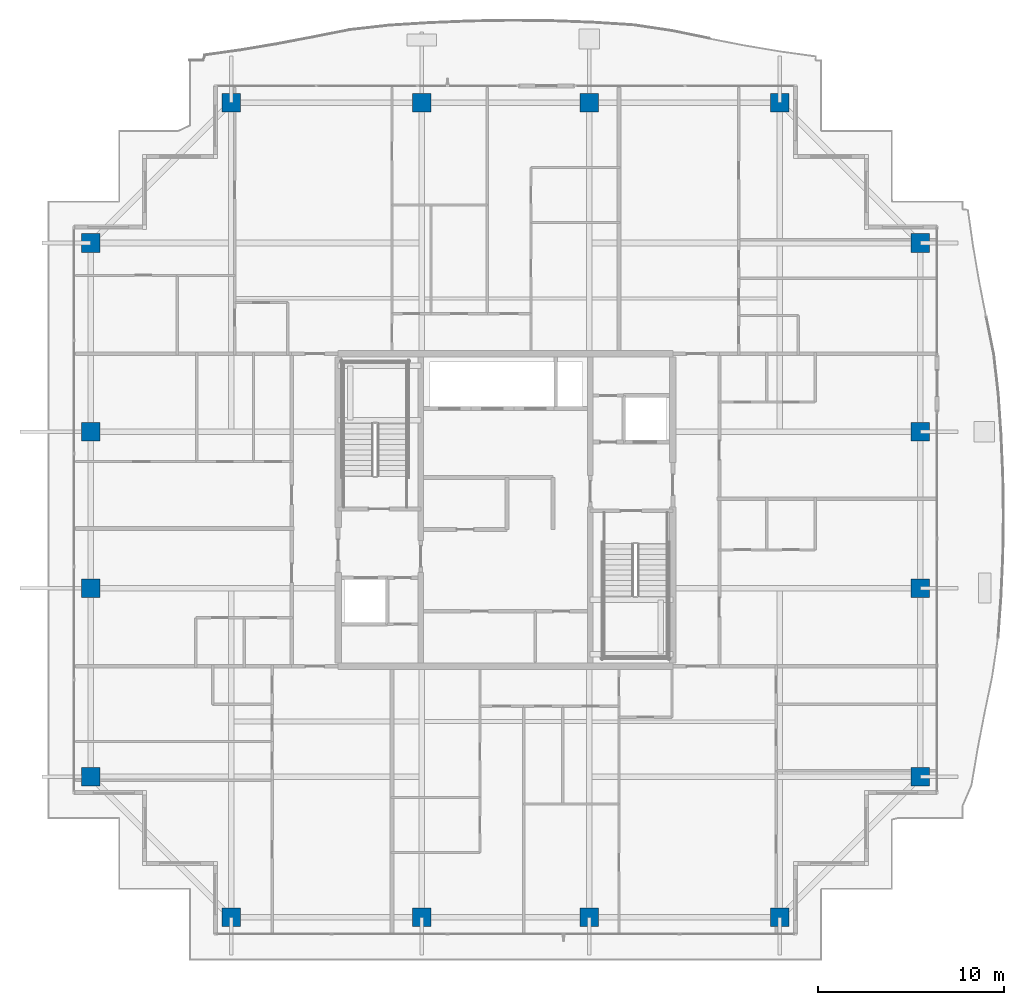
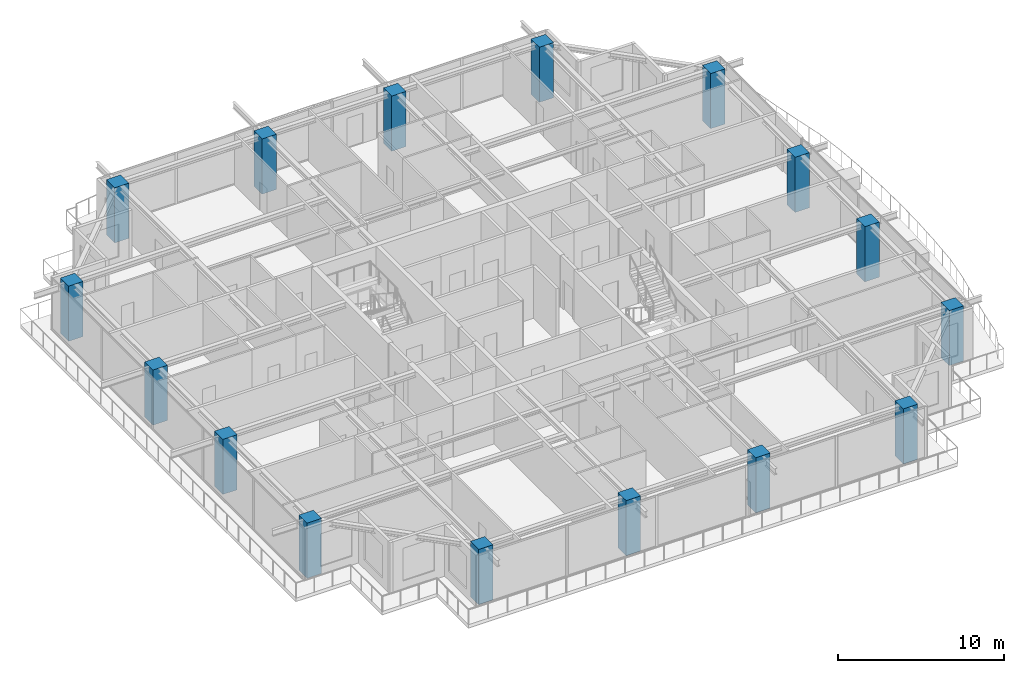
# One storey, part 1 of 40: 16 columns.
"""IFC4 building model written with IfcOpenShell, lengths in metres."""

from ifc_helpers import new_model, si_unit, direction, frame, origin, origin_2d, place, context, subcontext, project, spatial, rectangle, extrude, source, transform, mapped, material, material_profile, profile_set, type_object, element, save


model = new_model("IFC4")

# Units and contexts
model_context = context("Model", 3, precision=1e-05, world=origin(), true_north=direction((0.0, 1.0)))
body_context = subcontext(model_context, "Body", "Model", "MODEL_VIEW")
ifc_project = project(units=[si_unit("LENGTHUNIT", "METRE"), si_unit("AREAUNIT", "SQUARE_METRE"), si_unit("VOLUMEUNIT", "CUBIC_METRE"), si_unit("PLANEANGLEUNIT", "RADIAN"), si_unit("MASSUNIT", "GRAM", prefix="KILO")], contexts=[model_context])

# Site, building, storey
site_placement = place(None, origin())
site = spatial("IfcSite", under=ifc_project, at=site_placement, CompositionType="ELEMENT")
building_placement = place(site_placement, origin())
building = spatial("IfcBuilding", under=site, at=building_placement, Name="Serunith Strait Residences", CompositionType="ELEMENT")
storey_placement = place(building_placement, frame((0.0, 0.0, 313.699951171875)))
storey = spatial("IfcBuildingStorey", under=building, at=storey_placement, Name="L78", CompositionType="ELEMENT", Elevation=313.699951171875)

# Columns
ifc_material = material(Name="Concrete C70/85", Category="concrete")
ifc_material_profile = material_profile(ifc_material, rectangle(XDim=1.0, YDim=1.0, at=origin_2d()), Name="RC 1000x1000")
ifc_profile_set = profile_set([ifc_material_profile], Name="Concrete C70/85")
column_type = type_object("IfcColumnType", Name="COL-RC-1000", PredefinedType="COLUMN", material=ifc_profile_set)
shared_shape = source(origin(), body_context, "Body", "SweptSolid", [
    extrude(rectangle(XDim=1.0, YDim=1.0, at=origin_2d()), origin(), (0.0, 0.0, 1.0), 4.050048828125),
])
for number, where, z_axis, x_axis, name in (
    (1, (17.64990234375, 3.300048828125, -0.260009765625), (0.0, 0.0, 1.0), (1.0, 0.0, 0.0), "L78 Tower Mega-Column TC-S1"),
    (2, (27.89990234375, 3.300048828125, -0.260009765625), (0.0, 0.0, 1.0), (1.0, 0.0, 0.0), "L78 Tower Mega-Column TC-S2"),
    (3, (36.89990234375, 3.300048828125, -0.260009765625), (0.0, 0.0, 1.0), (1.0, 0.0, 0.0), "L78 Tower Mega-Column TC-S3"),
    (4, (47.14990234375, 3.300048828125, -0.260009765625), (0.0, 0.0, 1.0), (1.0, 0.0, 0.0), "L78 Tower Mega-Column TC-S4"),
    (5, (17.64990234375, 47.10009765625, -0.260009765625), (0.0, 0.0, 1.0), (1.0, 0.0, 0.0), "L78 Tower Mega-Column TC-N1"),
    (6, (27.89990234375, 47.10009765625, -0.260009765625), (0.0, 0.0, 1.0), (1.0, 0.0, 0.0), "L78 Tower Mega-Column TC-N2"),
    (7, (36.89990234375, 47.10009765625, -0.260009765625), (0.0, 0.0, 1.0), (1.0, 0.0, 0.0), "L78 Tower Mega-Column TC-N3"),
    (8, (47.14990234375, 47.10009765625, -0.260009765625), (0.0, 0.0, 1.0), (1.0, 0.0, 0.0), "L78 Tower Mega-Column TC-N4"),
    (9, (54.699951171875, 10.85009765625, -0.260009765625), (0.0, 0.0, 1.0), (1.0, 0.0, 0.0), "L78 Tower Mega-Column TC-E1"),
    (10, (54.699951171875, 21.0, -0.260009765625), (0.0, 0.0, 1.0), (1.0, 0.0, 0.0), "L78 Tower Mega-Column TC-E2"),
    (11, (54.699951171875, 29.39990234375, -0.260009765625), (0.0, 0.0, 1.0), (1.0, 0.0, 0.0), "L78 Tower Mega-Column TC-E3"),
    (12, (54.699951171875, 39.550048828125, -0.260009765625), (0.0, 0.0, 1.0), (1.0, 0.0, 0.0), "L78 Tower Mega-Column TC-E4"),
    (13, (10.10009765625, 10.85009765625, -0.260009765625), (0.0, 0.0, 1.0), (1.0, 0.0, 0.0), "L78 Tower Mega-Column TC-W1"),
    (14, (10.10009765625, 21.0, -0.260009765625), (0.0, 0.0, 1.0), (1.0, 0.0, 0.0), "L78 Tower Mega-Column TC-W2"),
    (15, (10.10009765625, 29.39990234375, -0.260009765625), (0.0, 0.0, 1.0), (1.0, 0.0, 0.0), "L78 Tower Mega-Column TC-W3"),
    (16, (10.10009765625, 39.550048828125, -0.260009765625), (0.0, 0.0, 1.0), (1.0, 0.0, 0.0), "L78 Tower Mega-Column TC-W4"),
):
    element("IfcColumn", number, at=place(storey_placement, frame(where, z_axis=z_axis, x_axis=x_axis)), inside=storey, type_object=column_type, Name=name, PredefinedType="COLUMN", context=body_context, shape_type="MappedRepresentation", body=[
        mapped(shared_shape, transform((0.0, 0.0, 0.0), scale=1.0)),
    ])

save(model, "model.ifc")
